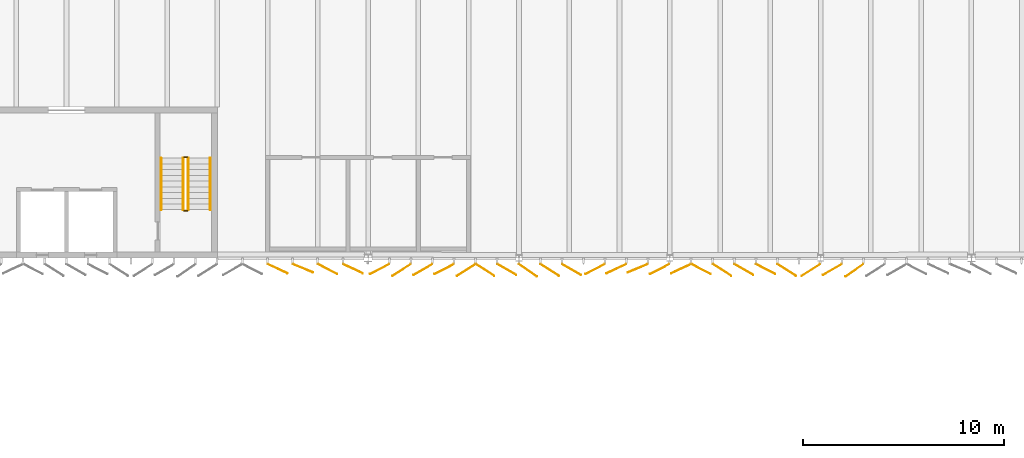
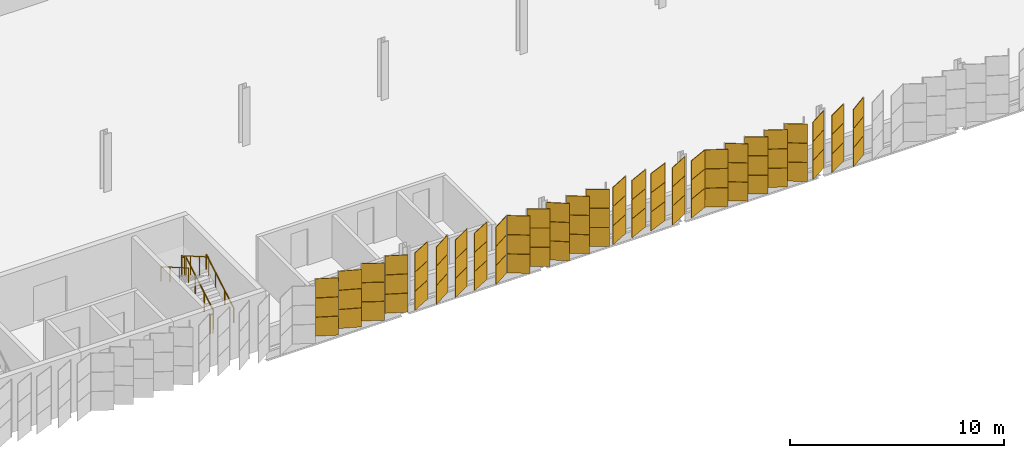
# One storey, part 199 of 214: 81 coverings, 6 railings.
"""IFC4 building model written with IfcOpenShell, lengths in metres."""

from ifc_helpers import new_model, si_unit, direction, frame, origin, origin_2d, place, context, subcontext, project, spatial, rectangle, circle, extrude, material, layer, layer_set, type_object, element, save


model = new_model("IFC4")

# Units and contexts
model_context = context("Model", 3, precision=1e-05, world=origin(), true_north=direction((0.0, 1.0)))
body_context = subcontext(model_context, "Body", "Model", "MODEL_VIEW")
ifc_project = project(units=[si_unit("LENGTHUNIT", "METRE"), si_unit("AREAUNIT", "SQUARE_METRE"), si_unit("VOLUMEUNIT", "CUBIC_METRE"), si_unit("PLANEANGLEUNIT", "RADIAN"), si_unit("MASSUNIT", "GRAM", prefix="KILO")], contexts=[model_context])

# Site, building, storey
site_placement = place(None, origin())
site = spatial("IfcSite", under=ifc_project, at=site_placement, CompositionType="ELEMENT")
building_placement = place(site_placement, origin())
building = spatial("IfcBuilding", under=site, at=building_placement, Name="Parallax Yard Mobility Hub", CompositionType="ELEMENT")
storey_placement = place(building_placement, frame((0.0, 0.0, 3.300048828125)))
storey = spatial("IfcBuildingStorey", under=building, at=storey_placement, Name="L01", CompositionType="ELEMENT", Elevation=3.300048828125)

# Coverings
ifc_material_1 = material(Name="Aluminium panel, light oak finish", Category="aluminium")
ifc_layer_1 = layer(ifc_material_1, 0.030029296875)
ifc_layer_set_1 = layer_set([ifc_layer_1], Name="Skin panel 22.5 degree turn, oak finish")
covering_type_1 = type_object("IfcCoveringType", Name="Skin panel 22.5 degree turn, oak finish", PredefinedType="CLADDING", material=ifc_layer_set_1)
for number, where, z_axis, x_axis, name in (
    (1, (86.755615234375, 111.987060546875, 1.119873046875), (0.0, 0.0, 1.0), (0.923879532511, -0.382683432365, 0.0), "Skin panel 22.5 bay 7.4 row 2 level L01"),
    (2, (86.755615234375, 111.987060546875, 2.219970703125), (0.0, 0.0, 1.0), (0.923879532511, -0.382683432365, 0.0), "Skin panel 22.5 bay 7.4 row 3 level L01"),
    (3, (103.40478515625, 111.987060546875, 1.119873046875), (0.0, 0.0, 1.0), (-0.923879532511, -0.382683432365, 0.0), "Skin panel 22.5 bay 9.6 row 2 level L01"),
    (4, (103.40478515625, 111.987060546875, 2.219970703125), (0.0, 0.0, 1.0), (-0.923879532511, -0.382683432365, 0.0), "Skin panel 22.5 bay 9.6 row 3 level L01"),
):
    element("IfcCovering", number, at=place(storey_placement, frame(where, z_axis=z_axis, x_axis=x_axis)), inside=storey, type_object=covering_type_1, Name=name, ObjectType="SCREEN", PredefinedType="CLADDING", context=body_context, shape_type="SweptSolid", body=[
        extrude(rectangle(XDim=1.080078125, YDim=0.030029296875, at=origin_2d()), origin(), (0.0, 0.0, 1.0), 1.080078125),
    ])
ifc_material_2 = material(Name="Aluminium panel, walnut finish", Category="aluminium")
ifc_layer_2 = layer(ifc_material_2, 0.030029296875)
ifc_layer_set_2 = layer_set([ifc_layer_2], Name="Skin panel 22.5 degree turn, walnut finish")
covering_type_2 = type_object("IfcCoveringType", Name="Skin panel 22.5 degree turn, walnut finish", PredefinedType="CLADDING", material=ifc_layer_set_2)
for number, where, z_axis, x_axis, name in (
    (5, (86.755615234375, 111.987060546875, 0.02001953125), (0.0, 0.0, 1.0), (0.923879532511, -0.382683432365, 0.0), "Skin panel 22.5 bay 7.4 row 1 level L01"),
    (6, (103.40478515625, 111.987060546875, 0.02001953125), (0.0, 0.0, 1.0), (-0.923879532511, -0.382683432365, 0.0), "Skin panel 22.5 bay 9.6 row 1 level L01"),
):
    element("IfcCovering", number, at=place(storey_placement, frame(where, z_axis=z_axis, x_axis=x_axis)), inside=storey, type_object=covering_type_2, Name=name, ObjectType="SCREEN", PredefinedType="CLADDING", context=body_context, shape_type="SweptSolid", body=[
        extrude(rectangle(XDim=1.080078125, YDim=0.030029296875, at=origin_2d()), origin(), (0.0, 0.0, 1.0), 1.080078125),
    ])
ifc_layer_3 = layer(ifc_material_1, 0.030029296875)
ifc_layer_set_3 = layer_set([ifc_layer_3], Name="Skin panel 25 degree turn, oak finish")
covering_type_3 = type_object("IfcCoveringType", Name="Skin panel 25 degree turn, oak finish", PredefinedType="CLADDING", material=ifc_layer_set_3)
for number, where, z_axis, x_axis, name in (
    (7, (85.49658203125, 111.96484375, 1.119873046875), (0.0, 0.0, 1.0), (0.906307787037, -0.422618261741, 0.0), "Skin panel 25 bay 7.3 row 2 level L01"),
    (8, (85.49658203125, 111.96484375, 2.219970703125), (0.0, 0.0, 1.0), (0.906307787037, -0.422618261741, 0.0), "Skin panel 25 bay 7.3 row 3 level L01"),
    (9, (89.244384765625, 111.96484375, 1.119873046875), (0.0, 0.0, 1.0), (0.906307787037, -0.422618261741, 0.0), "Skin panel 25 bay 7.6 row 2 level L01"),
    (10, (89.244384765625, 111.96484375, 2.219970703125), (0.0, 0.0, 1.0), (0.906307787037, -0.422618261741, 0.0), "Skin panel 25 bay 7.6 row 3 level L01"),
    (11, (102.34326171875, 111.96484375, 1.119873046875), (0.0, 0.0, 1.0), (-0.906307787037, -0.422618261741, 0.0), "Skin panel 25 bay 9.5 row 2 level L01"),
    (12, (102.34326171875, 111.96484375, 2.219970703125), (0.0, 0.0, 1.0), (-0.906307787037, -0.422618261741, 0.0), "Skin panel 25 bay 9.5 row 3 level L01"),
    (13, (105.5576171875, 111.96484375, 1.119873046875), (0.0, 0.0, 1.0), (-0.906307787037, -0.422618261741, 0.0), "Skin panel 25 bay 10.1 row 2 level L01"),
    (14, (105.5576171875, 111.96484375, 2.219970703125), (0.0, 0.0, 1.0), (-0.906307787037, -0.422618261741, 0.0), "Skin panel 25 bay 10.1 row 3 level L01"),
):
    element("IfcCovering", number, at=place(storey_placement, frame(where, z_axis=z_axis, x_axis=x_axis)), inside=storey, type_object=covering_type_3, Name=name, ObjectType="SCREEN", PredefinedType="CLADDING", context=body_context, shape_type="SweptSolid", body=[
        extrude(rectangle(XDim=1.080078125, YDim=0.030029296875, at=origin_2d()), origin(), (0.0, 0.0, 1.0), 1.080078125),
    ])
ifc_layer_4 = layer(ifc_material_2, 0.030029296875)
ifc_layer_set_4 = layer_set([ifc_layer_4], Name="Skin panel 25 degree turn, walnut finish")
covering_type_4 = type_object("IfcCoveringType", Name="Skin panel 25 degree turn, walnut finish", PredefinedType="CLADDING", material=ifc_layer_set_4)
for number, where, z_axis, x_axis, name in (
    (15, (85.49658203125, 111.96484375, 0.02001953125), (0.0, 0.0, 1.0), (0.906307787037, -0.422618261741, 0.0), "Skin panel 25 bay 7.3 row 1 level L01"),
    (16, (89.244384765625, 111.96484375, 0.02001953125), (0.0, 0.0, 1.0), (0.906307787037, -0.422618261741, 0.0), "Skin panel 25 bay 7.6 row 1 level L01"),
    (17, (102.34326171875, 111.96484375, 0.02001953125), (0.0, 0.0, 1.0), (-0.906307787037, -0.422618261741, 0.0), "Skin panel 25 bay 9.5 row 1 level L01"),
    (18, (105.5576171875, 111.96484375, 0.02001953125), (0.0, 0.0, 1.0), (-0.906307787037, -0.422618261741, 0.0), "Skin panel 25 bay 10.1 row 1 level L01"),
):
    element("IfcCovering", number, at=place(storey_placement, frame(where, z_axis=z_axis, x_axis=x_axis)), inside=storey, type_object=covering_type_4, Name=name, ObjectType="SCREEN", PredefinedType="CLADDING", context=body_context, shape_type="SweptSolid", body=[
        extrude(rectangle(XDim=1.080078125, YDim=0.030029296875, at=origin_2d()), origin(), (0.0, 0.0, 1.0), 1.080078125),
    ])
ifc_layer_5 = layer(ifc_material_1, 0.030029296875)
ifc_layer_set_5 = layer_set([ifc_layer_5], Name="Skin panel 27.5 degree turn, oak finish")
covering_type_5 = type_object("IfcCoveringType", Name="Skin panel 27.5 degree turn, oak finish", PredefinedType="CLADDING", material=ifc_layer_set_5)
for number, where, z_axis, x_axis, name in (
    (19, (87.984375, 111.943115234375, 1.119873046875), (0.0, 0.0, 1.0), (0.887010833178, -0.461748613235, 0.0), "Skin panel 27.5 bay 7.5 row 2 level L01"),
    (20, (87.984375, 111.943115234375, 2.219970703125), (0.0, 0.0, 1.0), (0.887010833178, -0.461748613235, 0.0), "Skin panel 27.5 bay 7.5 row 3 level L01"),
    (21, (90.5673828125, 111.943115234375, 1.119873046875), (0.0, 0.0, 1.0), (-0.887010833178, -0.461748613235, 0.0), "Skin panel 27.5 bay 8.1 row 2 level L01"),
    (22, (90.5673828125, 111.943115234375, 2.219970703125), (0.0, 0.0, 1.0), (-0.887010833178, -0.461748613235, 0.0), "Skin panel 27.5 bay 8.1 row 3 level L01"),
    (23, (93.781982421875, 111.943115234375, 1.119873046875), (0.0, 0.0, 1.0), (-0.887010833178, -0.461748613235, 0.0), "Skin panel 27.5 bay 8.4 row 2 level L01"),
    (24, (93.781982421875, 111.943115234375, 2.219970703125), (0.0, 0.0, 1.0), (-0.887010833178, -0.461748613235, 0.0), "Skin panel 27.5 bay 8.4 row 3 level L01"),
    (25, (101.282470703125, 111.943115234375, 1.119873046875), (0.0, 0.0, 1.0), (-0.887010833178, -0.461748613235, 0.0), "Skin panel 27.5 bay 9.4 row 2 level L01"),
    (26, (101.282470703125, 111.943115234375, 2.219970703125), (0.0, 0.0, 1.0), (-0.887010833178, -0.461748613235, 0.0), "Skin panel 27.5 bay 9.4 row 3 level L01"),
    (27, (104.496826171875, 111.943115234375, 1.119873046875), (0.0, 0.0, 1.0), (-0.887010833178, -0.461748613235, 0.0), "Skin panel 27.5 bay 9.7 row 2 level L01"),
    (28, (104.496826171875, 111.943115234375, 2.219970703125), (0.0, 0.0, 1.0), (-0.887010833178, -0.461748613235, 0.0), "Skin panel 27.5 bay 9.7 row 3 level L01"),
    (29, (106.555419921875, 111.943115234375, 1.119873046875), (0.0, 0.0, 1.0), (0.887010833178, -0.461748613235, 0.0), "Skin panel 27.5 bay 10.2 row 2 level L01"),
    (30, (106.555419921875, 111.943115234375, 2.219970703125), (0.0, 0.0, 1.0), (0.887010833178, -0.461748613235, 0.0), "Skin panel 27.5 bay 10.2 row 3 level L01"),
    (31, (109.77001953125, 111.943115234375, 1.119873046875), (0.0, 0.0, 1.0), (0.887010833178, -0.461748613235, 0.0), "Skin panel 27.5 bay 10.5 row 2 level L01"),
    (32, (109.77001953125, 111.943115234375, 2.219970703125), (0.0, 0.0, 1.0), (0.887010833178, -0.461748613235, 0.0), "Skin panel 27.5 bay 10.5 row 3 level L01"),
):
    element("IfcCovering", number, at=place(storey_placement, frame(where, z_axis=z_axis, x_axis=x_axis)), inside=storey, type_object=covering_type_5, Name=name, ObjectType="SCREEN", PredefinedType="CLADDING", context=body_context, shape_type="SweptSolid", body=[
        extrude(rectangle(XDim=1.080078125, YDim=0.030029296875, at=origin_2d()), origin(), (0.0, 0.0, 1.0), 1.080078125),
    ])
ifc_layer_6 = layer(ifc_material_2, 0.030029296875)
ifc_layer_set_6 = layer_set([ifc_layer_6], Name="Skin panel 27.5 degree turn, walnut finish")
covering_type_6 = type_object("IfcCoveringType", Name="Skin panel 27.5 degree turn, walnut finish", PredefinedType="CLADDING", material=ifc_layer_set_6)
for number, where, z_axis, x_axis, name in (
    (33, (87.984375, 111.943115234375, 0.02001953125), (0.0, 0.0, 1.0), (0.887010833178, -0.461748613235, 0.0), "Skin panel 27.5 bay 7.5 row 1 level L01"),
    (34, (90.5673828125, 111.943115234375, 0.02001953125), (0.0, 0.0, 1.0), (-0.887010833178, -0.461748613235, 0.0), "Skin panel 27.5 bay 8.1 row 1 level L01"),
    (35, (93.781982421875, 111.943115234375, 0.02001953125), (0.0, 0.0, 1.0), (-0.887010833178, -0.461748613235, 0.0), "Skin panel 27.5 bay 8.4 row 1 level L01"),
    (36, (101.282470703125, 111.943115234375, 0.02001953125), (0.0, 0.0, 1.0), (-0.887010833178, -0.461748613235, 0.0), "Skin panel 27.5 bay 9.4 row 1 level L01"),
    (37, (104.496826171875, 111.943115234375, 0.02001953125), (0.0, 0.0, 1.0), (-0.887010833178, -0.461748613235, 0.0), "Skin panel 27.5 bay 9.7 row 1 level L01"),
    (38, (106.555419921875, 111.943115234375, 0.02001953125), (0.0, 0.0, 1.0), (0.887010833178, -0.461748613235, 0.0), "Skin panel 27.5 bay 10.2 row 1 level L01"),
    (39, (109.77001953125, 111.943115234375, 0.02001953125), (0.0, 0.0, 1.0), (0.887010833178, -0.461748613235, 0.0), "Skin panel 27.5 bay 10.5 row 1 level L01"),
):
    element("IfcCovering", number, at=place(storey_placement, frame(where, z_axis=z_axis, x_axis=x_axis)), inside=storey, type_object=covering_type_6, Name=name, ObjectType="SCREEN", PredefinedType="CLADDING", context=body_context, shape_type="SweptSolid", body=[
        extrude(rectangle(XDim=1.080078125, YDim=0.030029296875, at=origin_2d()), origin(), (0.0, 0.0, 1.0), 1.080078125),
    ])
ifc_layer_7 = layer(ifc_material_1, 0.030029296875)
ifc_layer_set_7 = layer_set([ifc_layer_7], Name="Skin panel 30 degree turn, oak finish")
covering_type_7 = type_object("IfcCoveringType", Name="Skin panel 30 degree turn, oak finish", PredefinedType="CLADDING", material=ifc_layer_set_7)
for number, where, z_axis, x_axis, name in (
    (40, (92.72216796875, 111.921875, 1.119873046875), (0.0, 0.0, 1.0), (-0.866025403784, -0.5, 0.0), "Skin panel 30 bay 8.3 row 2 level L01"),
    (41, (92.72216796875, 111.921875, 2.219970703125), (0.0, 0.0, 1.0), (-0.866025403784, -0.5, 0.0), "Skin panel 30 bay 8.3 row 3 level L01"),
    (42, (96.900146484375, 111.921875, 1.119873046875), (0.0, 0.0, 1.0), (0.866025403784, -0.5, 0.0), "Skin panel 30 bay 8.7 row 2 level L01"),
    (43, (96.900146484375, 111.921875, 2.219970703125), (0.0, 0.0, 1.0), (0.866025403784, -0.5, 0.0), "Skin panel 30 bay 8.7 row 3 level L01"),
    (44, (100.11474609375, 111.921875, 1.119873046875), (0.0, 0.0, 1.0), (0.866025403784, -0.5, 0.0), "Skin panel 30 bay 9.3 row 2 level L01"),
    (45, (100.11474609375, 111.921875, 2.219970703125), (0.0, 0.0, 1.0), (0.866025403784, -0.5, 0.0), "Skin panel 30 bay 9.3 row 3 level L01"),
    (46, (108.686767578125, 111.921875, 1.119873046875), (0.0, 0.0, 1.0), (0.866025403784, -0.5, 0.0), "Skin panel 30 bay 10.4 row 2 level L01"),
    (47, (108.686767578125, 111.921875, 2.219970703125), (0.0, 0.0, 1.0), (0.866025403784, -0.5, 0.0), "Skin panel 30 bay 10.4 row 3 level L01"),
    (48, (113.08056640625, 111.921875, 1.119873046875), (0.0, 0.0, 1.0), (-0.866025403784, -0.5, 0.0), "Skin panel 30 bay 11.1 row 2 level L01"),
    (49, (113.08056640625, 111.921875, 2.219970703125), (0.0, 0.0, 1.0), (-0.866025403784, -0.5, 0.0), "Skin panel 30 bay 11.1 row 3 level L01"),
):
    element("IfcCovering", number, at=place(storey_placement, frame(where, z_axis=z_axis, x_axis=x_axis)), inside=storey, type_object=covering_type_7, Name=name, ObjectType="SCREEN", PredefinedType="CLADDING", context=body_context, shape_type="SweptSolid", body=[
        extrude(rectangle(XDim=1.080078125, YDim=0.030029296875, at=origin_2d()), origin(), (0.0, 0.0, 1.0), 1.080078125),
    ])
ifc_layer_8 = layer(ifc_material_2, 0.030029296875)
ifc_layer_set_8 = layer_set([ifc_layer_8], Name="Skin panel 30 degree turn, walnut finish")
covering_type_8 = type_object("IfcCoveringType", Name="Skin panel 30 degree turn, walnut finish", PredefinedType="CLADDING", material=ifc_layer_set_8)
for number, where, z_axis, x_axis, name in (
    (50, (92.72216796875, 111.921875, 0.02001953125), (0.0, 0.0, 1.0), (-0.866025403784, -0.5, 0.0), "Skin panel 30 bay 8.3 row 1 level L01"),
    (51, (96.900146484375, 111.921875, 0.02001953125), (0.0, 0.0, 1.0), (0.866025403784, -0.5, 0.0), "Skin panel 30 bay 8.7 row 1 level L01"),
    (52, (100.11474609375, 111.921875, 0.02001953125), (0.0, 0.0, 1.0), (0.866025403784, -0.5, 0.0), "Skin panel 30 bay 9.3 row 1 level L01"),
    (53, (108.686767578125, 111.921875, 0.02001953125), (0.0, 0.0, 1.0), (0.866025403784, -0.5, 0.0), "Skin panel 30 bay 10.4 row 1 level L01"),
    (54, (113.08056640625, 111.921875, 0.02001953125), (0.0, 0.0, 1.0), (-0.866025403784, -0.5, 0.0), "Skin panel 30 bay 11.1 row 1 level L01"),
):
    element("IfcCovering", number, at=place(storey_placement, frame(where, z_axis=z_axis, x_axis=x_axis)), inside=storey, type_object=covering_type_8, Name=name, ObjectType="SCREEN", PredefinedType="CLADDING", context=body_context, shape_type="SweptSolid", body=[
        extrude(rectangle(XDim=1.080078125, YDim=0.030029296875, at=origin_2d()), origin(), (0.0, 0.0, 1.0), 1.080078125),
    ])
ifc_layer_9 = layer(ifc_material_1, 0.030029296875)
ifc_layer_set_9 = layer_set([ifc_layer_9], Name="Skin panel 32.5 degree turn, oak finish")
covering_type_9 = type_object("IfcCoveringType", Name="Skin panel 32.5 degree turn, oak finish", PredefinedType="CLADDING", material=ifc_layer_set_9)
for number, where, z_axis, x_axis, name in (
    (55, (91.6630859375, 111.901123046875, 1.119873046875), (0.0, 0.0, 1.0), (-0.843391445813, -0.537299608347, 0.0), "Skin panel 32.5 bay 8.2 row 2 level L01"),
    (56, (91.6630859375, 111.901123046875, 2.219970703125), (0.0, 0.0, 1.0), (-0.843391445813, -0.537299608347, 0.0), "Skin panel 32.5 bay 8.2 row 3 level L01"),
    (57, (94.877685546875, 111.901123046875, 1.119873046875), (0.0, 0.0, 1.0), (-0.843391445813, -0.537299608347, 0.0), "Skin panel 32.5 bay 8.5 row 2 level L01"),
    (58, (94.877685546875, 111.901123046875, 2.219970703125), (0.0, 0.0, 1.0), (-0.843391445813, -0.537299608347, 0.0), "Skin panel 32.5 bay 8.5 row 3 level L01"),
    (59, (95.816162109375, 111.901123046875, 1.119873046875), (0.0, 0.0, 1.0), (0.843391445813, -0.537299608347, 0.0), "Skin panel 32.5 bay 8.6 row 2 level L01"),
    (60, (95.816162109375, 111.901123046875, 2.219970703125), (0.0, 0.0, 1.0), (0.843391445813, -0.537299608347, 0.0), "Skin panel 32.5 bay 8.6 row 3 level L01"),
    (61, (99.030517578125, 111.901123046875, 1.119873046875), (0.0, 0.0, 1.0), (0.843391445813, -0.537299608347, 0.0), "Skin panel 32.5 bay 9.2 row 2 level L01"),
    (62, (99.030517578125, 111.901123046875, 2.219970703125), (0.0, 0.0, 1.0), (0.843391445813, -0.537299608347, 0.0), "Skin panel 32.5 bay 9.2 row 3 level L01"),
    (63, (107.602783203125, 111.901123046875, 1.119873046875), (0.0, 0.0, 1.0), (0.843391445813, -0.537299608347, 0.0), "Skin panel 32.5 bay 10.3 row 2 level L01"),
    (64, (107.602783203125, 111.901123046875, 2.219970703125), (0.0, 0.0, 1.0), (0.843391445813, -0.537299608347, 0.0), "Skin panel 32.5 bay 10.3 row 3 level L01"),
    (65, (110.817138671875, 111.901123046875, 1.119873046875), (0.0, 0.0, 1.0), (0.843391445813, -0.537299608347, 0.0), "Skin panel 32.5 bay 10.6 row 2 level L01"),
    (66, (110.817138671875, 111.901123046875, 2.219970703125), (0.0, 0.0, 1.0), (0.843391445813, -0.537299608347, 0.0), "Skin panel 32.5 bay 10.6 row 3 level L01"),
    (67, (112.021728515625, 111.901123046875, 1.119873046875), (0.0, 0.0, 1.0), (-0.843391445813, -0.537299608347, 0.0), "Skin panel 32.5 bay 10.7 row 2 level L01"),
    (68, (112.021728515625, 111.901123046875, 2.219970703125), (0.0, 0.0, 1.0), (-0.843391445813, -0.537299608347, 0.0), "Skin panel 32.5 bay 10.7 row 3 level L01"),
):
    element("IfcCovering", number, at=place(storey_placement, frame(where, z_axis=z_axis, x_axis=x_axis)), inside=storey, type_object=covering_type_9, Name=name, ObjectType="SCREEN", PredefinedType="CLADDING", context=body_context, shape_type="SweptSolid", body=[
        extrude(rectangle(XDim=1.080078125, YDim=0.030029296875, at=origin_2d()), origin(), (0.0, 0.0, 1.0), 1.080078125),
    ])
ifc_layer_10 = layer(ifc_material_2, 0.030029296875)
ifc_layer_set_10 = layer_set([ifc_layer_10], Name="Skin panel 32.5 degree turn, walnut finish")
covering_type_10 = type_object("IfcCoveringType", Name="Skin panel 32.5 degree turn, walnut finish", PredefinedType="CLADDING", material=ifc_layer_set_10)
for number, where, z_axis, x_axis, name in (
    (69, (91.6630859375, 111.901123046875, 0.02001953125), (0.0, 0.0, 1.0), (-0.843391445813, -0.537299608347, 0.0), "Skin panel 32.5 bay 8.2 row 1 level L01"),
    (70, (94.877685546875, 111.901123046875, 0.02001953125), (0.0, 0.0, 1.0), (-0.843391445813, -0.537299608347, 0.0), "Skin panel 32.5 bay 8.5 row 1 level L01"),
    (71, (95.816162109375, 111.901123046875, 0.02001953125), (0.0, 0.0, 1.0), (0.843391445813, -0.537299608347, 0.0), "Skin panel 32.5 bay 8.6 row 1 level L01"),
    (72, (99.030517578125, 111.901123046875, 0.02001953125), (0.0, 0.0, 1.0), (0.843391445813, -0.537299608347, 0.0), "Skin panel 32.5 bay 9.2 row 1 level L01"),
    (73, (107.602783203125, 111.901123046875, 0.02001953125), (0.0, 0.0, 1.0), (0.843391445813, -0.537299608347, 0.0), "Skin panel 32.5 bay 10.3 row 1 level L01"),
    (74, (110.817138671875, 111.901123046875, 0.02001953125), (0.0, 0.0, 1.0), (0.843391445813, -0.537299608347, 0.0), "Skin panel 32.5 bay 10.6 row 1 level L01"),
    (75, (112.021728515625, 111.901123046875, 0.02001953125), (0.0, 0.0, 1.0), (-0.843391445813, -0.537299608347, 0.0), "Skin panel 32.5 bay 10.7 row 1 level L01"),
):
    element("IfcCovering", number, at=place(storey_placement, frame(where, z_axis=z_axis, x_axis=x_axis)), inside=storey, type_object=covering_type_10, Name=name, ObjectType="SCREEN", PredefinedType="CLADDING", context=body_context, shape_type="SweptSolid", body=[
        extrude(rectangle(XDim=1.080078125, YDim=0.030029296875, at=origin_2d()), origin(), (0.0, 0.0, 1.0), 1.080078125),
    ])
ifc_layer_11 = layer(ifc_material_1, 0.030029296875)
ifc_layer_set_11 = layer_set([ifc_layer_11], Name="Skin panel 35 degree turn, oak finish")
covering_type_11 = type_object("IfcCoveringType", Name="Skin panel 35 degree turn, oak finish", PredefinedType="CLADDING", material=ifc_layer_set_11)
for number, where, z_axis, x_axis, name in (
    (76, (97.94580078125, 111.880859375, 1.119873046875), (0.0, 0.0, 1.0), (0.819152044289, -0.573576436351, 0.0), "Skin panel 35 bay 9.1 row 2 level L01"),
    (77, (97.94580078125, 111.880859375, 2.219970703125), (0.0, 0.0, 1.0), (0.819152044289, -0.573576436351, 0.0), "Skin panel 35 bay 9.1 row 3 level L01"),
    (78, (114.17822265625, 111.880859375, 1.119873046875), (0.0, 0.0, 1.0), (-0.819152044289, -0.573576436351, 0.0), "Skin panel 35 bay 11.2 row 2 level L01"),
    (79, (114.17822265625, 111.880859375, 2.219970703125), (0.0, 0.0, 1.0), (-0.819152044289, -0.573576436351, 0.0), "Skin panel 35 bay 11.2 row 3 level L01"),
):
    element("IfcCovering", number, at=place(storey_placement, frame(where, z_axis=z_axis, x_axis=x_axis)), inside=storey, type_object=covering_type_11, Name=name, ObjectType="SCREEN", PredefinedType="CLADDING", context=body_context, shape_type="SweptSolid", body=[
        extrude(rectangle(XDim=1.080078125, YDim=0.030029296875, at=origin_2d()), origin(), (0.0, 0.0, 1.0), 1.080078125),
    ])
ifc_layer_12 = layer(ifc_material_2, 0.030029296875)
ifc_layer_set_12 = layer_set([ifc_layer_12], Name="Skin panel 35 degree turn, walnut finish")
covering_type_12 = type_object("IfcCoveringType", Name="Skin panel 35 degree turn, walnut finish", PredefinedType="CLADDING", material=ifc_layer_set_12)
for number, where, z_axis, x_axis, name in (
    (80, (97.94580078125, 111.880859375, 0.02001953125), (0.0, 0.0, 1.0), (0.819152044289, -0.573576436351, 0.0), "Skin panel 35 bay 9.1 row 1 level L01"),
    (81, (114.17822265625, 111.880859375, 0.02001953125), (0.0, 0.0, 1.0), (-0.819152044289, -0.573576436351, 0.0), "Skin panel 35 bay 11.2 row 1 level L01"),
):
    element("IfcCovering", number, at=place(storey_placement, frame(where, z_axis=z_axis, x_axis=x_axis)), inside=storey, type_object=covering_type_12, Name=name, ObjectType="SCREEN", PredefinedType="CLADDING", context=body_context, shape_type="SweptSolid", body=[
        extrude(rectangle(XDim=1.080078125, YDim=0.030029296875, at=origin_2d()), origin(), (0.0, 0.0, 1.0), 1.080078125),
    ])

# Railings
ifc_material_3 = material(Name="Steel ASTM A36", Category="steel")
railing_type_1 = type_object("IfcRailingType", Name="Stair guard 1100", PredefinedType="GUARDRAIL", material=ifc_material_3)
railing_1_placement = place(storey_placement, frame((81.050048828125, 114.89990234375, 0.1650390625)))
element("IfcRailing", 82, at=railing_1_placement, inside=storey, type_object=railing_type_1, Name="L01 ST3 stair guard 1", PredefinedType="GUARDRAIL", context=body_context, shape_type="SweptSolid", body=[
    extrude(circle(Radius=0.02392578125, at=origin_2d()), frame((0.0, 0.0, 1.076171875), z_axis=(0.0, 0.865461999751, 0.500974577186), x_axis=(-1.0, 0.0, 0.0)), (0.0, 0.0, 1.0), 2.9638671875),
    extrude(circle(Radius=0.02099609375, at=origin_2d()), origin(), (0.0, 0.0, 1.0), 1.052001953125),
    extrude(circle(Radius=0.02099609375, at=origin_2d()), frame((0.0, 0.85498046875, 0.494873046875)), (0.0, 0.0, 1.0), 1.052001953125),
    extrude(circle(Radius=0.02099609375, at=origin_2d()), frame((0.0, 1.710205078125, 0.989990234375)), (0.0, 0.0, 1.0), 1.052001953125),
    extrude(circle(Radius=0.02099609375, at=origin_2d()), frame((0.0, 2.565185546875, 1.48486328125)), (0.0, 0.0, 1.0), 1.052001953125),
])
railing_2_placement = place(storey_placement, frame((81.0, 117.514892578125, 1.64990234375)))
element("IfcRailing", 83, at=railing_2_placement, inside=storey, type_object=railing_type_1, Name="L01 ST3 stair guard 2", PredefinedType="GUARDRAIL", context=body_context, shape_type="SweptSolid", body=[
    extrude(circle(Radius=0.02392578125, at=origin_2d()), frame((0.0, 0.0, 1.076171875), z_axis=(-1.0, 0.0, 0.0), x_axis=(0.0, -1.0, 0.0)), (0.0, 0.0, 1.0), 0.14990234375),
    extrude(circle(Radius=0.02099609375, at=origin_2d()), origin(), (0.0, 0.0, 1.0), 1.052001953125),
    extrude(circle(Radius=0.02099609375, at=origin_2d()), frame((-0.14990234375, 0.0, 0.0)), (0.0, 0.0, 1.0), 1.052001953125),
])
railing_3_placement = place(storey_placement, frame((80.800048828125, 117.465087890625, 1.81494140625)))
element("IfcRailing", 84, at=railing_3_placement, inside=storey, type_object=railing_type_1, Name="L01 ST3 stair guard 3", PredefinedType="GUARDRAIL", context=body_context, shape_type="SweptSolid", body=[
    extrude(circle(Radius=0.02392578125, at=origin_2d()), frame((0.0, 0.0, 1.076171875), z_axis=(0.0, -0.865426285481, 0.501036270542), x_axis=(1.0, 0.0, 0.0)), (0.0, 0.0, 1.0), 2.964111328125),
    extrude(circle(Radius=0.02099609375, at=origin_2d()), origin(), (0.0, 0.0, 1.0), 1.052001953125),
    extrude(circle(Radius=0.02099609375, at=origin_2d()), frame((0.0, -0.85498046875, 0.4951171875)), (0.0, 0.0, 1.0), 1.052001953125),
    extrude(circle(Radius=0.02099609375, at=origin_2d()), frame((0.0, -1.710205078125, 0.989990234375)), (0.0, 0.0, 1.0), 1.052001953125),
    extrude(circle(Radius=0.02099609375, at=origin_2d()), frame((0.0, -2.565185546875, 1.485107421875)), (0.0, 0.0, 1.0), 1.052001953125),
])
railing_4_placement = place(storey_placement, frame((81.0, 114.85009765625, 0.0)))
element("IfcRailing", 85, at=railing_4_placement, inside=storey, type_object=railing_type_1, Name="L01 ST3 stair guard 4", PredefinedType="GUARDRAIL", context=body_context, shape_type="SweptSolid", body=[
    extrude(circle(Radius=0.02392578125, at=origin_2d()), frame((0.0, 0.0, 1.076171875), z_axis=(-1.0, 0.0, 0.0), x_axis=(0.0, -1.0, 0.0)), (0.0, 0.0, 1.0), 0.14990234375),
    extrude(circle(Radius=0.02099609375, at=origin_2d()), origin(), (0.0, 0.0, 1.0), 1.052001953125),
    extrude(circle(Radius=0.02099609375, at=origin_2d()), frame((-0.14990234375, 0.0, 0.0)), (0.0, 0.0, 1.0), 1.052001953125),
])
railing_type_2 = type_object("IfcRailingType", Name="Stair handrail", PredefinedType="HANDRAIL", material=ifc_material_3)
railing_5_placement = place(storey_placement, frame((82.14990234375, 114.89990234375, 0.1650390625)))
element("IfcRailing", 86, at=railing_5_placement, inside=storey, type_object=railing_type_2, Name="L01 ST3 stair handrail 1", PredefinedType="HANDRAIL", context=body_context, shape_type="SweptSolid", body=[
    extrude(circle(Radius=0.02392578125, at=origin_2d()), frame((0.0, 0.0, 0.8310546875), z_axis=(0.0, 0.865461999751, 0.500974577186), x_axis=(-1.0, 0.0, 0.0)), (0.0, 0.0, 1.0), 2.9638671875),
    extrude(circle(Radius=0.02099609375, at=origin_2d()), origin(), (0.0, 0.0, 1.0), 0.806884765625),
    extrude(circle(Radius=0.02099609375, at=origin_2d()), frame((0.0, 0.85498046875, 0.494873046875)), (0.0, 0.0, 1.0), 0.806884765625),
    extrude(circle(Radius=0.02099609375, at=origin_2d()), frame((0.0, 1.710205078125, 0.989990234375)), (0.0, 0.0, 1.0), 0.806884765625),
    extrude(circle(Radius=0.02099609375, at=origin_2d()), frame((0.0, 2.565185546875, 1.48486328125)), (0.0, 0.0, 1.0), 0.806884765625),
])
railing_6_placement = place(storey_placement, frame((79.699951171875, 117.465087890625, 1.81494140625)))
element("IfcRailing", 87, at=railing_6_placement, inside=storey, type_object=railing_type_2, Name="L01 ST3 stair handrail 2", PredefinedType="HANDRAIL", context=body_context, shape_type="SweptSolid", body=[
    extrude(circle(Radius=0.02392578125, at=origin_2d()), frame((0.0, 0.0, 0.8310546875), z_axis=(0.0, -0.865426285481, 0.501036270542), x_axis=(1.0, 0.0, 0.0)), (0.0, 0.0, 1.0), 2.964111328125),
    extrude(circle(Radius=0.02099609375, at=origin_2d()), origin(), (0.0, 0.0, 1.0), 0.806884765625),
    extrude(circle(Radius=0.02099609375, at=origin_2d()), frame((0.0, -0.85498046875, 0.4951171875)), (0.0, 0.0, 1.0), 0.806884765625),
    extrude(circle(Radius=0.02099609375, at=origin_2d()), frame((0.0, -1.710205078125, 0.989990234375)), (0.0, 0.0, 1.0), 0.806884765625),
    extrude(circle(Radius=0.02099609375, at=origin_2d()), frame((0.0, -2.565185546875, 1.485107421875)), (0.0, 0.0, 1.0), 0.806884765625),
])

save(model, "model.ifc")
